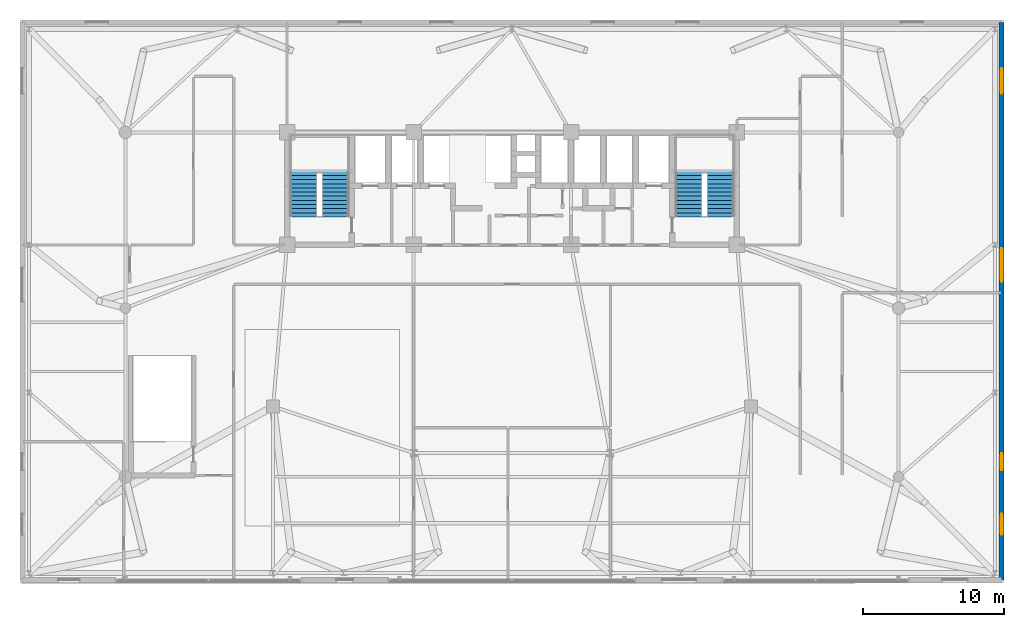
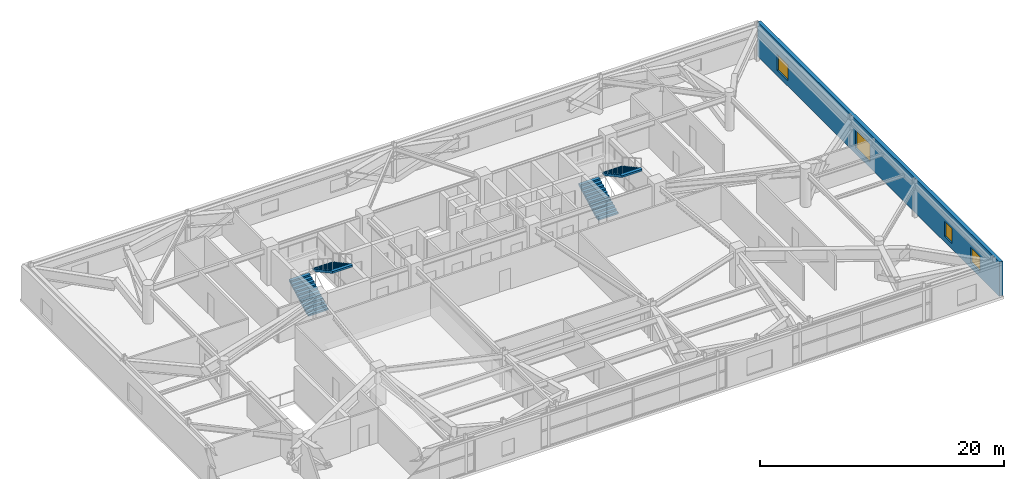
# One storey, part 24 of 27: 4 stair flights, 4 windows, 1 wall, 4 openings, 2 elements without a shape of their own.
"""IFC4 building model written with IfcOpenShell, lengths in metres."""

from ifc_helpers import new_model, si_unit, direction, frame, frame_2d, origin, place, context, subcontext, project, spatial, polyline, rectangle, outline, extrude, source, transform, mapped, material, layer, layer_set, type_object, element, fill, aggregate, save


model = new_model("IFC4")

# Units and contexts
model_context = context("Model", 3, precision=1e-05, world=origin(), true_north=direction((0.0, 1.0)))
body_context = subcontext(model_context, "Body", "Model", "MODEL_VIEW")
ifc_project = project(units=[si_unit("LENGTHUNIT", "METRE"), si_unit("AREAUNIT", "SQUARE_METRE"), si_unit("VOLUMEUNIT", "CUBIC_METRE"), si_unit("PLANEANGLEUNIT", "RADIAN"), si_unit("MASSUNIT", "GRAM", prefix="KILO")], contexts=[model_context])

# Site, building, storey
site_placement = place(None, origin())
site = spatial("IfcSite", under=ifc_project, at=site_placement, CompositionType="ELEMENT")
building_placement = place(site_placement, origin())
building = spatial("IfcBuilding", under=site, at=building_placement, Name="Taldren Reach Tower", CompositionType="ELEMENT")
storey_placement = place(building_placement, frame((0.0, 0.0, 12.949951171875)))
storey = spatial("IfcBuildingStorey", under=building, at=storey_placement, Name="L03", CompositionType="ELEMENT", Elevation=12.949951171875)

# Wall, openings, windows
ifc_material_1 = material(Name="Pale Champagne Anodised Aluminium Cladding", Category="aluminium")
ifc_layer_1 = layer(ifc_material_1, 0.04, Name="Pale Champagne Anodised Aluminium Cladding", Category="aluminium")
ifc_material_2 = material(Name="Mineral Wool Thermal Insulation", Category="insulation")
ifc_layer_2 = layer(ifc_material_2, 0.08, Name="Mineral Wool Thermal Insulation", Category="insulation")
ifc_material_3 = material(Name="Concrete S50 (50 MPa)", Category="concrete")
ifc_layer_3 = layer(ifc_material_3, 0.22, Name="Concrete S50 (50 MPa)", Category="concrete")
ifc_layer_set = layer_set([ifc_layer_1, ifc_layer_2, ifc_layer_3], Name="Pale Champagne Aluminium Cladding and Precast Concrete 50 MPa (S50)")
wall_type = type_object("IfcWallType", Name="EW-POD-340", PredefinedType="SOLIDWALL", material=ifc_layer_set)
shared_shape_1 = source(origin(), body_context, "Body", "SweptSolid", [
    extrude(rectangle(XDim=39.66015625, YDim=0.340087890625, at=frame_2d((19.830078125, 0.0))), origin(), (0.0, 0.0, 1.0), 3.429931640625),
])
wall_placement = place(storey_placement, frame((69.830078125, 0.169921875, 0.0), z_axis=(0.0, 0.0, 1.0), x_axis=(0.0, 1.0, 0.0)))
wall = element("IfcWall", 1, at=wall_placement, inside=storey, type_object=wall_type, Name="Podium facade wall L03-E", PredefinedType="SOLIDWALL", context=body_context, shape_type="MappedRepresentation", body=[
    mapped(shared_shape_1, transform((0.0, 0.0, 0.0), scale=1.0)),
])
shared_shape_2 = source(origin(), body_context, "Body", "SweptSolid", [
    extrude(rectangle(XDim=1.5, YDim=1.5, at=frame_2d((0.75, 0.75))), frame((0.0, 0.18017578125, 0.0), z_axis=(0.0, -1.0, 0.0), x_axis=(1.0, 0.0, 0.0)), (0.0, 0.0, 1.0), 0.360107421875),
])
opening_1_placement = place(wall_placement, frame((3.199951171875, 0.0, 0.550048828125)))
opening_1 = element("IfcOpeningElement", 2, at=opening_1_placement, cuts=wall, Name="Opening W-1515", PredefinedType="OPENING", context=body_context, shape_type="MappedRepresentation", body=[
    mapped(shared_shape_2, transform((0.0, 0.0, 0.0), scale=1.0)),
])
shared_shape_3 = source(origin(), body_context, "Body", "SweptSolid", [
    extrude(rectangle(XDim=1.199951171875, YDim=1.5, at=frame_2d((0.60009765625, 0.75))), frame((0.0, 0.18017578125, 0.0), z_axis=(0.0, -1.0, 0.0), x_axis=(1.0, 0.0, 0.0)), (0.0, 0.0, 1.0), 0.360107421875),
])
opening_2_placement = place(wall_placement, frame((7.800048828125, 0.0, 0.550048828125)))
opening_2 = element("IfcOpeningElement", 3, at=opening_2_placement, cuts=wall, Name="Opening W-1215", PredefinedType="OPENING", context=body_context, shape_type="MappedRepresentation", body=[
    mapped(shared_shape_3, transform((0.0, 0.0, 0.0), scale=1.0)),
])
shared_shape_4 = source(origin(), body_context, "Body", "SweptSolid", [
    extrude(rectangle(XDim=2.39990234375, YDim=1.800048828125, at=frame_2d((1.199951171875, 0.89990234375))), frame((0.0, 0.18017578125, 0.0), z_axis=(0.0, -1.0, 0.0), x_axis=(1.0, 0.0, 0.0)), (0.0, 0.0, 1.0), 0.360107421875),
])
opening_3_placement = place(wall_placement, frame((21.199951171875, 0.0, 0.550048828125)))
opening_3 = element("IfcOpeningElement", 4, at=opening_3_placement, cuts=wall, Name="Opening W-2418", PredefinedType="OPENING", context=body_context, shape_type="MappedRepresentation", body=[
    mapped(shared_shape_4, transform((0.0, 0.0, 0.0), scale=1.0)),
])
shared_shape_5 = source(origin(), body_context, "Body", "SweptSolid", [
    extrude(rectangle(XDim=1.800048828125, YDim=1.60009765625, at=frame_2d((0.89990234375, 0.800048828125))), frame((0.0, 0.18017578125, 0.0), z_axis=(0.0, -1.0, 0.0), x_axis=(1.0, 0.0, 0.0)), (0.0, 0.0, 1.0), 0.360107421875),
])
opening_4_placement = place(wall_placement, frame((34.60009765625, 0.0, 0.550048828125)))
opening_4 = element("IfcOpeningElement", 5, at=opening_4_placement, cuts=wall, Name="Opening W-1816", PredefinedType="OPENING", context=body_context, shape_type="MappedRepresentation", body=[
    mapped(shared_shape_5, transform((0.0, 0.0, 0.0), scale=1.0)),
])
ifc_material_4 = material(Name="Thermally Broken Aluminium and Low-E IGU", Category="aluminium")
window_type_1 = type_object("IfcWindowType", Name="WN-POD-1200", PartitioningType="SINGLE_PANEL", PredefinedType="WINDOW", material=ifc_material_4)
shared_shape_6 = source(origin(), body_context, "Body", "SweptSolid", [
    extrude(rectangle(XDim=1.199951171875, YDim=1.5, at=frame_2d((0.60009765625, 0.75))), frame((0.0, 0.030029296875, 0.0), z_axis=(0.0, -1.0, 0.0), x_axis=(1.0, 0.0, 0.0)), (0.0, 0.0, 1.0), 0.06005859375),
])
window_1_placement = place(opening_2_placement, origin())
window_1 = element("IfcWindow", 6, at=window_1_placement, inside=storey, type_object=window_type_1, Name="Clinical window L03-E2", OverallHeight=1.5, OverallWidth=1.199951171875, PartitioningType="SINGLE_PANEL", PredefinedType="WINDOW", context=body_context, shape_type="MappedRepresentation", body=[
    mapped(shared_shape_6, transform((0.0, 0.0, 0.0), scale=1.0)),
])
fill(opening_2, window_1)
window_type_2 = type_object("IfcWindowType", Name="WN-POD-1800", PartitioningType="SINGLE_PANEL", PredefinedType="WINDOW", material=ifc_material_4)
shared_shape_7 = source(origin(), body_context, "Body", "SweptSolid", [
    extrude(rectangle(XDim=1.800048828125, YDim=1.60009765625, at=frame_2d((0.89990234375, 0.800048828125))), frame((0.0, 0.030029296875, 0.0), z_axis=(0.0, -1.0, 0.0), x_axis=(1.0, 0.0, 0.0)), (0.0, 0.0, 1.0), 0.06005859375),
])
window_2_placement = place(opening_4_placement, origin())
window_2 = element("IfcWindow", 7, at=window_2_placement, inside=storey, type_object=window_type_2, Name="Clinical window L03-E4", OverallHeight=1.60009765625, OverallWidth=1.800048828125, PartitioningType="SINGLE_PANEL", PredefinedType="WINDOW", context=body_context, shape_type="MappedRepresentation", body=[
    mapped(shared_shape_7, transform((0.0, 0.0, 0.0), scale=1.0)),
])
fill(opening_4, window_2)
window_type_3 = type_object("IfcWindowType", Name="WN-POD-2400", PartitioningType="SINGLE_PANEL", PredefinedType="WINDOW", material=ifc_material_4)
shared_shape_8 = source(origin(), body_context, "Body", "SweptSolid", [
    extrude(rectangle(XDim=2.39990234375, YDim=1.800048828125, at=frame_2d((1.199951171875, 0.89990234375))), frame((0.0, 0.030029296875, 0.0), z_axis=(0.0, -1.0, 0.0), x_axis=(1.0, 0.0, 0.0)), (0.0, 0.0, 1.0), 0.06005859375),
])
window_3_placement = place(opening_3_placement, origin())
window_3 = element("IfcWindow", 8, at=window_3_placement, inside=storey, type_object=window_type_3, Name="Clinical window L03-E3", OverallHeight=1.800048828125, OverallWidth=2.39990234375, PartitioningType="SINGLE_PANEL", PredefinedType="WINDOW", context=body_context, shape_type="MappedRepresentation", body=[
    mapped(shared_shape_8, transform((0.0, 0.0, 0.0), scale=1.0)),
])
fill(opening_3, window_3)
window_type_4 = type_object("IfcWindowType", Name="WN-POD-1500", PartitioningType="SINGLE_PANEL", PredefinedType="WINDOW", material=ifc_material_4)
shared_shape_9 = source(origin(), body_context, "Body", "SweptSolid", [
    extrude(rectangle(XDim=1.5, YDim=1.5, at=frame_2d((0.75, 0.75))), frame((0.0, 0.030029296875, 0.0), z_axis=(0.0, -1.0, 0.0), x_axis=(1.0, 0.0, 0.0)), (0.0, 0.0, 1.0), 0.06005859375),
])
window_4_placement = place(opening_1_placement, origin())
window_4 = element("IfcWindow", 9, at=window_4_placement, inside=storey, type_object=window_type_4, Name="Clinical window L03-E1", OverallHeight=1.5, OverallWidth=1.5, PartitioningType="SINGLE_PANEL", PredefinedType="WINDOW", context=body_context, shape_type="MappedRepresentation", body=[
    mapped(shared_shape_9, transform((0.0, 0.0, 0.0), scale=1.0)),
])
fill(opening_1, window_4)

# Stair, stair flights
stair_type = type_object("IfcStairType", Name="ST-HT-385W", PredefinedType="HALF_TURN_STAIR", material=ifc_material_3)
stair_1_placement = place(storey_placement, origin())
stair_1 = element("IfcStair", 10, at=stair_1_placement, inside=storey, type_object=stair_type, Name="Fire-isolated exit stair ST1 L03", PredefinedType="HALF_TURN_STAIR")
stair_flight_type = type_object("IfcStairFlightType", Name="SF-STR-385W", PredefinedType="STRAIGHT", material=ifc_material_3)
stair_flight_1_placement = place(storey_placement, frame((20.169921875, 25.989990234375, 0.0), z_axis=(0.0, 0.0, 1.0), x_axis=(0.0, 1.0, 0.0)))
stair_flight_1 = element("IfcStairFlight", 11, at=stair_flight_1_placement, type_object=stair_flight_type, Name="ST1 flight 1", NumberOfRisers=12, NumberOfTreads=11, PredefinedType="STRAIGHT", RiserHeight=0.160417, TreadLength=0.295, context=body_context, shape_type="SweptSolid", body=[
    extrude(outline(polyline([(0.0, 0.0), (0.0, 0.160400390625), (0.294921875, 0.160400390625), (0.294921875, 0.32080078125), (0.590087890625, 0.32080078125), (0.590087890625, 0.481201171875), (0.885009765625, 0.481201171875), (0.885009765625, 0.6416015625), (1.179931640625, 0.6416015625), (1.179931640625, 0.802001953125), (1.47509765625, 0.802001953125), (1.47509765625, 0.96240234375), (1.77001953125, 0.96240234375), (1.77001953125, 1.122802734375), (2.06494140625, 1.122802734375), (2.06494140625, 1.283447265625), (2.360107421875, 1.283447265625), (2.360107421875, 1.44384765625), (2.655029296875, 1.44384765625), (2.655029296875, 1.604248046875), (2.949951171875, 1.604248046875), (2.949951171875, 1.7646484375), (3.2451171875, 1.7646484375), (3.2451171875, 1.925048828125), (3.2451171875, 1.58251953125), (0.334716796875, 0.0), (0.0, 0.0)])), frame((0.0, 0.949951171875, 0.0), z_axis=(0.0, -1.0, 0.0), x_axis=(1.0, 0.0, 0.0)), (0.0, 0.0, 1.0), 1.89990234375),
])
stair_flight_2_placement = place(storey_placement, frame((22.429931640625, 29.235107421875, 1.925048828125), z_axis=(0.0, 0.0, 1.0), x_axis=(0.0, -1.0, 0.0)))
stair_flight_2 = element("IfcStairFlight", 12, at=stair_flight_2_placement, type_object=stair_flight_type, Name="ST1 flight 2", NumberOfRisers=12, NumberOfTreads=11, PredefinedType="STRAIGHT", RiserHeight=0.160417, TreadLength=0.295, context=body_context, shape_type="SweptSolid", body=[
    extrude(outline(polyline([(0.0, 0.0), (0.0, 0.160400390625), (0.294921875, 0.160400390625), (0.294921875, 0.32080078125), (0.590087890625, 0.32080078125), (0.590087890625, 0.481201171875), (0.885009765625, 0.481201171875), (0.885009765625, 0.6416015625), (1.179931640625, 0.6416015625), (1.179931640625, 0.802001953125), (1.47509765625, 0.802001953125), (1.47509765625, 0.96240234375), (1.77001953125, 0.96240234375), (1.77001953125, 1.122802734375), (2.06494140625, 1.122802734375), (2.06494140625, 1.283447265625), (2.360107421875, 1.283447265625), (2.360107421875, 1.44384765625), (2.655029296875, 1.44384765625), (2.655029296875, 1.604248046875), (2.949951171875, 1.604248046875), (2.949951171875, 1.7646484375), (3.2451171875, 1.7646484375), (3.2451171875, 1.925048828125), (3.2451171875, 1.58251953125), (0.334716796875, 0.0), (0.0, 0.0)])), frame((0.0, 0.949951171875, 0.0), z_axis=(0.0, -1.0, 0.0), x_axis=(1.0, 0.0, 0.0)), (0.0, 0.0, 1.0), 1.89990234375),
])
aggregate(stair_1, [stair_flight_1, stair_flight_2])

stair_2_placement = place(storey_placement, origin())
stair_2 = element("IfcStair", 13, at=stair_2_placement, inside=storey, type_object=stair_type, Name="Fire-isolated exit stair ST2 L03", PredefinedType="HALF_TURN_STAIR")
stair_flight_3_placement = place(storey_placement, frame((47.570068359375, 25.989990234375, 0.0), z_axis=(0.0, 0.0, 1.0), x_axis=(0.0, 1.0, 0.0)))
stair_flight_3 = element("IfcStairFlight", 14, at=stair_flight_3_placement, type_object=stair_flight_type, Name="ST2 flight 1", NumberOfRisers=12, NumberOfTreads=11, PredefinedType="STRAIGHT", RiserHeight=0.160417, TreadLength=0.295, context=body_context, shape_type="SweptSolid", body=[
    extrude(outline(polyline([(0.0, 0.0), (0.0, 0.160400390625), (0.294921875, 0.160400390625), (0.294921875, 0.32080078125), (0.590087890625, 0.32080078125), (0.590087890625, 0.481201171875), (0.885009765625, 0.481201171875), (0.885009765625, 0.6416015625), (1.179931640625, 0.6416015625), (1.179931640625, 0.802001953125), (1.47509765625, 0.802001953125), (1.47509765625, 0.96240234375), (1.77001953125, 0.96240234375), (1.77001953125, 1.122802734375), (2.06494140625, 1.122802734375), (2.06494140625, 1.283447265625), (2.360107421875, 1.283447265625), (2.360107421875, 1.44384765625), (2.655029296875, 1.44384765625), (2.655029296875, 1.604248046875), (2.949951171875, 1.604248046875), (2.949951171875, 1.7646484375), (3.2451171875, 1.7646484375), (3.2451171875, 1.925048828125), (3.2451171875, 1.58251953125), (0.334716796875, 0.0), (0.0, 0.0)])), frame((0.0, 0.949951171875, 0.0), z_axis=(0.0, -1.0, 0.0), x_axis=(1.0, 0.0, 0.0)), (0.0, 0.0, 1.0), 1.89990234375),
])
stair_flight_4_placement = place(storey_placement, frame((49.830078125, 29.235107421875, 1.925048828125), z_axis=(0.0, 0.0, 1.0), x_axis=(0.0, -1.0, 0.0)))
stair_flight_4 = element("IfcStairFlight", 15, at=stair_flight_4_placement, type_object=stair_flight_type, Name="ST2 flight 2", NumberOfRisers=12, NumberOfTreads=11, PredefinedType="STRAIGHT", RiserHeight=0.160417, TreadLength=0.295, context=body_context, shape_type="SweptSolid", body=[
    extrude(outline(polyline([(0.0, 0.0), (0.0, 0.160400390625), (0.294921875, 0.160400390625), (0.294921875, 0.32080078125), (0.590087890625, 0.32080078125), (0.590087890625, 0.481201171875), (0.885009765625, 0.481201171875), (0.885009765625, 0.6416015625), (1.179931640625, 0.6416015625), (1.179931640625, 0.802001953125), (1.47509765625, 0.802001953125), (1.47509765625, 0.96240234375), (1.77001953125, 0.96240234375), (1.77001953125, 1.122802734375), (2.06494140625, 1.122802734375), (2.06494140625, 1.283447265625), (2.360107421875, 1.283447265625), (2.360107421875, 1.44384765625), (2.655029296875, 1.44384765625), (2.655029296875, 1.604248046875), (2.949951171875, 1.604248046875), (2.949951171875, 1.7646484375), (3.2451171875, 1.7646484375), (3.2451171875, 1.925048828125), (3.2451171875, 1.58251953125), (0.334716796875, 0.0), (0.0, 0.0)])), frame((0.0, 0.949951171875, 0.0), z_axis=(0.0, -1.0, 0.0), x_axis=(1.0, 0.0, 0.0)), (0.0, 0.0, 1.0), 1.89990234375),
])
aggregate(stair_2, [stair_flight_3, stair_flight_4])

save(model, "model.ifc")
